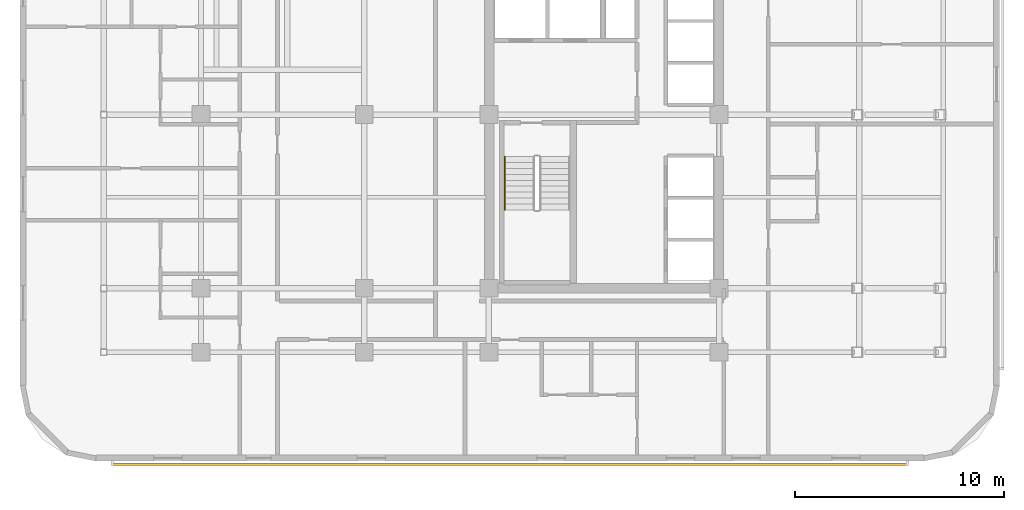
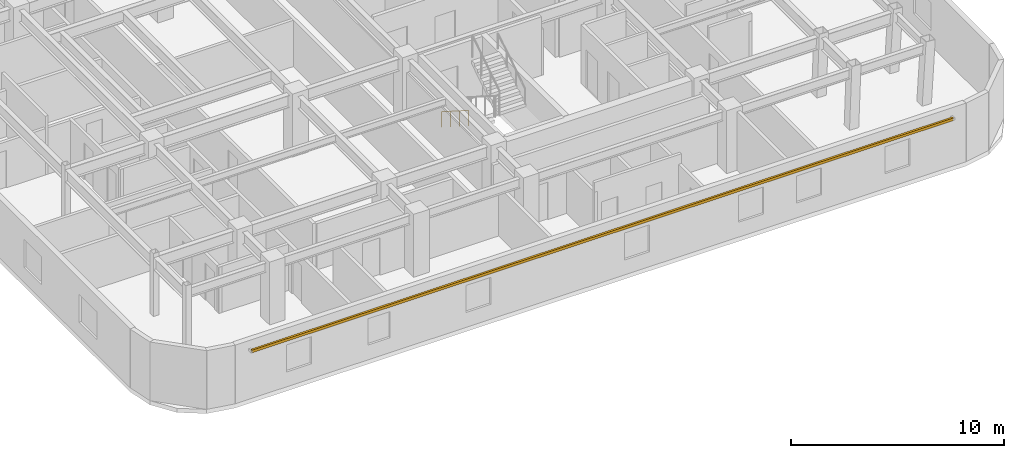
# One storey, part 12 of 14: 1 railing, 1 shading device.
"""IFC4 building model written with IfcOpenShell, lengths in metres."""

from ifc_helpers import new_model, si_unit, direction, frame, origin, origin_2d, place, context, subcontext, project, spatial, rectangle, circle, extrude, material, material_profile, profile_set, type_object, element, save


model = new_model("IFC4")

# Units and contexts
model_context = context("Model", 3, precision=1e-05, world=origin(), true_north=direction((0.0, 1.0)))
body_context = subcontext(model_context, "Body", "Model", "MODEL_VIEW")
ifc_project = project(units=[si_unit("LENGTHUNIT", "METRE"), si_unit("AREAUNIT", "SQUARE_METRE"), si_unit("VOLUMEUNIT", "CUBIC_METRE"), si_unit("PLANEANGLEUNIT", "RADIAN"), si_unit("MASSUNIT", "GRAM", prefix="KILO")], contexts=[model_context])

# Site, building, storey
site_placement = place(None, origin())
site = spatial("IfcSite", under=ifc_project, at=site_placement, CompositionType="ELEMENT")
building_placement = place(site_placement, origin())
building = spatial("IfcBuilding", under=site, at=building_placement, Name="Ochreholt Gables", CompositionType="ELEMENT")
storey_placement = place(building_placement, frame((0.0, 0.0, 52.800048828125)))
storey = spatial("IfcBuildingStorey", under=building, at=storey_placement, Name="L13", CompositionType="ELEMENT", Elevation=52.800048828125)

# Railing
ifc_material_1 = material(Name="Brushed Stainless Steel Wall Handrail", Category="steel")
railing_type = type_object("IfcRailingType", Name="RL-ST-HAND", PredefinedType="HANDRAIL", material=ifc_material_1)
railing_placement = place(storey_placement, frame((24.969970703125, 15.5400390625, 0.179931640625)))
element("IfcRailing", 1, at=railing_placement, inside=storey, type_object=railing_type, Name="L13 ST-1 stair handrail 1", PredefinedType="HANDRAIL", context=body_context, shape_type="SweptSolid", body=[
    extrude(circle(Radius=0.02392578125, at=origin_2d()), frame((0.0, 0.0, 0.8759765625), z_axis=(0.0, -0.842912820907, 0.538050161556), x_axis=(1.0, 0.0, 0.0)), (0.0, 0.0, 1.0), 3.010986328125),
    extrude(circle(Radius=0.02099609375, at=origin_2d()), origin(), (0.0, 0.0, 1.0), 0.851806640625),
    extrude(circle(Radius=0.02099609375, at=origin_2d()), frame((0.0, -0.845947265625, 0.5400390625)), (0.0, 0.0, 1.0), 0.851806640625),
    extrude(circle(Radius=0.02099609375, at=origin_2d()), frame((0.0, -1.692138671875, 1.080078125)), (0.0, 0.0, 1.0), 0.851806640625),
    extrude(circle(Radius=0.02099609375, at=origin_2d()), frame((0.0, -2.5380859375, 1.6201171875)), (0.0, 0.0, 1.0), 0.851806640625),
])

# Shading device
ifc_material_2 = material(Name="Warm Ochre Glazed Terracotta Baguette", Category="masonry")
ifc_material_profile = material_profile(ifc_material_2, rectangle(XDim=0.110107421875, YDim=0.14990234375, at=origin_2d()), Name="TCBAG110X150")
ifc_profile_set = profile_set([ifc_material_profile], Name="Warm Ochre Glazed Terracotta Baguette")
shading_device_type = type_object("IfcShadingDeviceType", Name="SHD-BAGUETTE", PredefinedType="USERDEFINED", material=ifc_profile_set)
shading_device_placement = place(storey_placement, frame((6.199951171875, 0.85009765625, 2.83984375), z_axis=(1.0, 0.0, 0.0), x_axis=(0.0, 1.0, 0.0)))
element("IfcShadingDevice", 2, at=shading_device_placement, inside=storey, type_object=shading_device_type, Name="L13 Terracotta Baguette Screen S-1", ObjectType="BAGUETTE", PredefinedType="USERDEFINED", context=body_context, shape_type="SweptSolid", body=[
    extrude(rectangle(XDim=0.110107421875, YDim=0.14990234375, at=origin_2d()), origin(), (0.0, 0.0, 1.0), 38.0),
])

save(model, "model.ifc")
